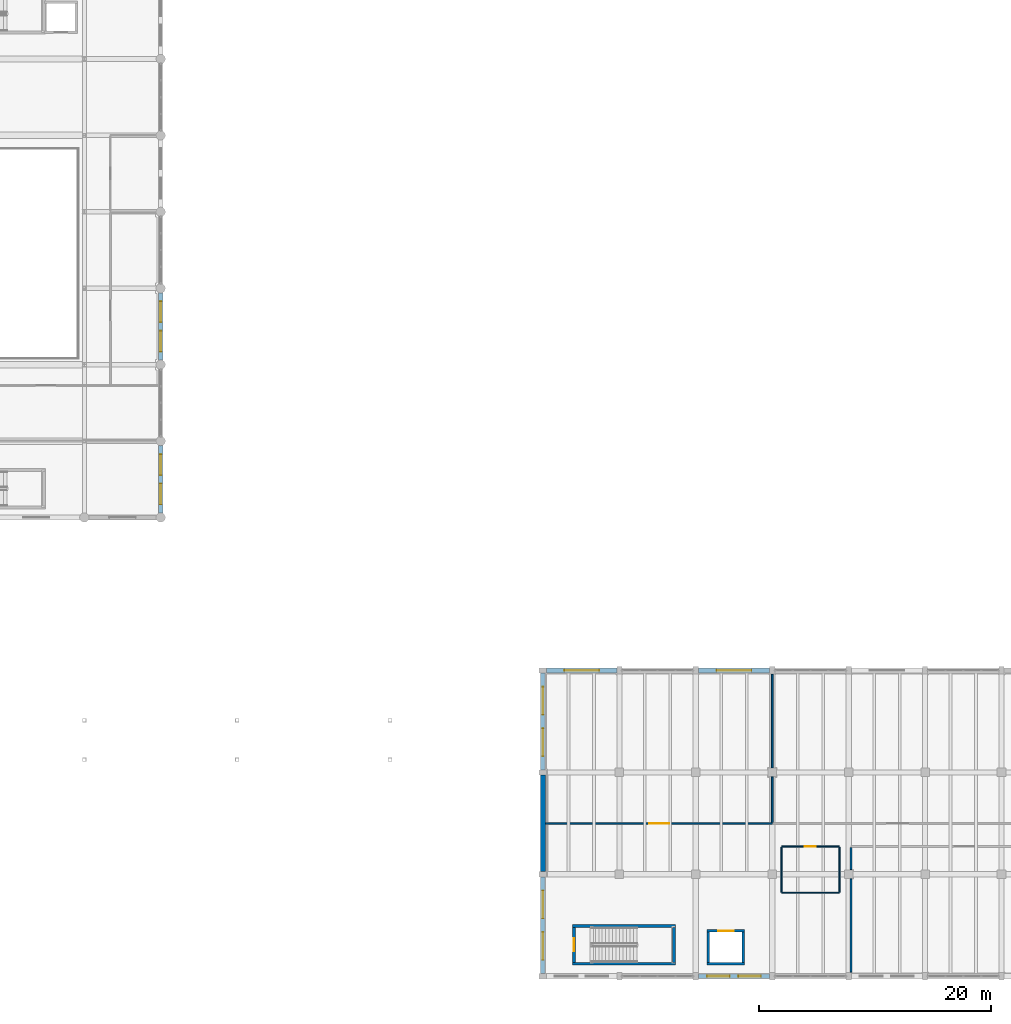
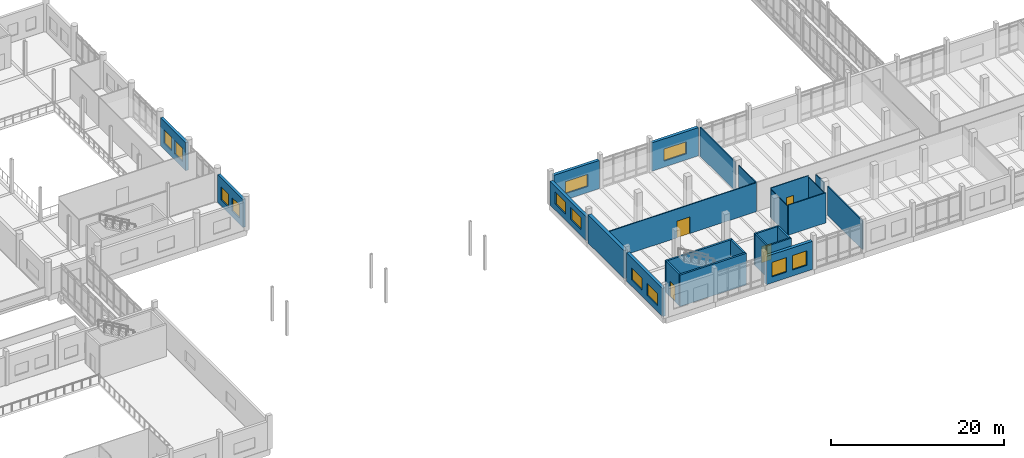
# One storey, part 89 of 125: 25 walls, 12 windows, 4 doors, 16 openings.
"""IFC4 building model written with IfcOpenShell, lengths in metres."""

from ifc_helpers import new_model, si_unit, direction, frame, frame_2d, origin, place, context, subcontext, project, spatial, rectangle, extrude, material, layer, layer_set, type_object, element, fill, save


model = new_model("IFC4")

# Units and contexts
model_context = context("Model", 3, precision=1e-05, world=origin(), true_north=direction((0.0, 1.0)))
body_context = subcontext(model_context, "Body", "Model", "MODEL_VIEW")
ifc_project = project(units=[si_unit("LENGTHUNIT", "METRE"), si_unit("AREAUNIT", "SQUARE_METRE"), si_unit("VOLUMEUNIT", "CUBIC_METRE"), si_unit("PLANEANGLEUNIT", "RADIAN"), si_unit("MASSUNIT", "GRAM", prefix="KILO")], contexts=[model_context])

# Site, building, storey
site_placement = place(None, origin())
site = spatial("IfcSite", under=ifc_project, at=site_placement, CompositionType="ELEMENT")
building_placement = place(site_placement, origin())
building = spatial("IfcBuilding", under=site, at=building_placement, Name="Dornvale Research Institute", CompositionType="ELEMENT")
storey_placement = place(building_placement, frame((0.0, 0.0, 5.39990234375)))
storey = spatial("IfcBuildingStorey", under=building, at=storey_placement, Name="L01", CompositionType="ELEMENT", Elevation=5.39990234375)

# Wall, opening, door
ifc_material_1 = material(Name="Epoxy-Coated Aluminum Honeycomb Cleanroom Partition", Category="aluminium")
ifc_layer_1 = layer(ifc_material_1, 0.139892578125)
ifc_layer_set_1 = layer_set([ifc_layer_1], Name="Epoxy-Coated Aluminum Honeycomb Cleanroom Partition")
wall_type_1 = type_object("IfcWallType", Name="Partition_Cleanroom_140", PredefinedType="PARTITIONING", material=ifc_layer_set_1)
wall_1_placement = place(storey_placement, frame((99.239990234375, 13.199951171875, 0.0), z_axis=(0.0, 0.0, 1.0), x_axis=(1.0, 0.0, 0.0)))
wall_1 = element("IfcWall", 1, at=wall_1_placement, inside=storey, type_object=wall_type_1, Name="L01 V3 interior partition #208", PredefinedType="PARTITIONING", context=body_context, shape_type="SweptSolid", body=[
    extrude(rectangle(XDim=19.56005859375, YDim=0.139892578125, at=frame_2d((9.780029296875, 0.0))), origin(), (0.0, 0.0, 1.0), 4.065185546875),
])
opening_1_placement = place(wall_1_placement, frame((8.93994140625, 0.0, 0.0)))
opening_1 = element("IfcOpeningElement", 2, at=opening_1_placement, cuts=wall_1, Name="Opening ID-03", PredefinedType="OPENING", context=body_context, shape_type="SweptSolid", body=[
    extrude(rectangle(XDim=1.719970703125, YDim=2.35009765625, at=frame_2d((0.85986328125, 1.175048828125))), frame((0.0, 0.0849609375, 0.0), z_axis=(0.0, -1.0, 0.0), x_axis=(1.0, 0.0, 0.0)), (0.0, 0.0, 1.0), 0.169921875),
])
ifc_material_2 = material(Name="Insulated Fire-Rated Hollow Metal Door Assembly")
door_type_1 = type_object("IfcDoorType", Name="Door_CleanBay_1720x2350", OperationType="SINGLE_SWING_LEFT", PredefinedType="DOOR", material=ifc_material_2)
door_1_placement = place(opening_1_placement, origin())
door_1 = element("IfcDoor", 3, at=door_1_placement, inside=storey, type_object=door_type_1, Name="L01 Cleanroom Gowning Airlock L01 door #84", OperationType="DOUBLE_DOOR_SINGLE_SWING", OverallHeight=2.35009765625, OverallWidth=1.719970703125, PredefinedType="DOOR", context=body_context, shape_type="SweptSolid", body=[
    extrude(rectangle(XDim=1.719970703125, YDim=2.35009765625, at=frame_2d((0.85986328125, 1.175048828125))), frame((0.0, 0.02490234375, 0.0), z_axis=(0.0, -1.0, 0.0), x_axis=(1.0, 0.0, 0.0)), (0.0, 0.0, 1.0), 0.050048828125),
])
fill(opening_1, door_1)

# Walls
wall_2_placement = place(storey_placement, frame((118.800048828125, 13.284912109375, 0.0), z_axis=(0.0, 0.0, 1.0), x_axis=(0.0, 1.0, 0.0)))
element("IfcWall", 4, at=wall_2_placement, inside=storey, type_object=wall_type_1, Name="L01 V3 interior partition #209", PredefinedType="PARTITIONING", context=body_context, shape_type="SweptSolid", body=[
    extrude(rectangle(XDim=3.920166015625, YDim=0.139892578125, at=frame_2d((1.9599609375, 0.0))), origin(), (0.0, 0.0, 1.0), 4.065185546875),
])
wall_3_placement = place(storey_placement, frame((118.800048828125, 17.9951171875, 0.0), z_axis=(0.0, 0.0, 1.0), x_axis=(0.0, 1.0, 0.0)))
element("IfcWall", 5, at=wall_3_placement, inside=storey, type_object=wall_type_1, Name="L01 V3 interior partition #210", PredefinedType="PARTITIONING", context=body_context, shape_type="SweptSolid", body=[
    extrude(rectangle(XDim=8.059814453125, YDim=0.139892578125, at=frame_2d((4.02978515625, 0.0))), origin(), (0.0, 0.0, 1.0), 4.065185546875),
])
wall_4_placement = place(storey_placement, frame((125.60009765625, 0.344970703125, 0.0), z_axis=(0.0, 0.0, 1.0), x_axis=(0.0, 1.0, 0.0)))
element("IfcWall", 6, at=wall_4_placement, inside=storey, type_object=wall_type_1, Name="L01 V3 interior partition #218", PredefinedType="PARTITIONING", context=body_context, shape_type="SweptSolid", body=[
    extrude(rectangle(XDim=8.06005859375, YDim=0.139892578125, at=frame_2d((4.030029296875, 0.0))), origin(), (0.0, 0.0, 1.0), 4.065185546875),
])
wall_5_placement = place(storey_placement, frame((125.60009765625, 9.195068359375, 0.0), z_axis=(0.0, 0.0, 1.0), x_axis=(0.0, 1.0, 0.0)))
element("IfcWall", 7, at=wall_5_placement, inside=storey, type_object=wall_type_1, Name="L01 V3 interior partition #219", PredefinedType="PARTITIONING", context=body_context, shape_type="SweptSolid", body=[
    extrude(rectangle(XDim=1.919921875, YDim=0.139892578125, at=frame_2d((0.9599609375, 0.0))), origin(), (0.0, 0.0, 1.0), 4.065185546875),
])
ifc_material_3 = material(Name="Acoustic Insulated Double-Stud Laboratory Partition")
ifc_layer_2 = layer(ifc_material_3, 0.10009765625)
ifc_layer_set_2 = layer_set([ifc_layer_2], Name="Acoustic Insulated Double-Stud Laboratory Partition")
wall_type_2 = type_object("IfcWallType", Name="Partition_Office_100", PredefinedType="PARTITIONING", material=ifc_layer_set_2)
wall_6_placement = place(storey_placement, frame((119.60009765625, 7.199951171875, 0.0), z_axis=(0.0, 0.0, 1.0), x_axis=(1.0, 0.0, 0.0)))
element("IfcWall", 8, at=wall_6_placement, inside=storey, type_object=wall_type_2, Name="L01 V3 interior partition #204", PredefinedType="PARTITIONING", context=body_context, shape_type="SweptSolid", body=[
    extrude(rectangle(XDim=5.0, YDim=0.10009765625, at=frame_2d((2.5, 0.0))), origin(), (0.0, 0.0, 1.0), 4.2451171875),
])

# Wall, opening, door
wall_7_placement = place(storey_placement, frame((119.60009765625, 11.199951171875, 0.0), z_axis=(0.0, 0.0, 1.0), x_axis=(1.0, 0.0, 0.0)))
wall_7 = element("IfcWall", 9, at=wall_7_placement, inside=storey, type_object=wall_type_2, Name="L01 V3 interior partition #205", PredefinedType="PARTITIONING", context=body_context, shape_type="SweptSolid", body=[
    extrude(rectangle(XDim=5.0, YDim=0.10009765625, at=frame_2d((2.5, 0.0))), origin(), (0.0, 0.0, 1.0), 4.2451171875),
])
opening_2_placement = place(wall_7_placement, frame((2.02490234375, 0.0, 0.0)))
opening_2 = element("IfcOpeningElement", 10, at=opening_2_placement, cuts=wall_7, Name="Opening ID-23", PredefinedType="OPENING", context=body_context, shape_type="SweptSolid", body=[
    extrude(rectangle(XDim=0.949951171875, YDim=2.14990234375, at=frame_2d((0.47509765625, 1.074951171875))), frame((0.0, 0.06494140625, 0.0), z_axis=(0.0, -1.0, 0.0), x_axis=(1.0, 0.0, 0.0)), (0.0, 0.0, 1.0), 0.130126953125),
])
ifc_material_4 = material(Name="Phenolic-Faced Solid-Core Laboratory Door Assembly")
door_type_2 = type_object("IfcDoorType", Name="Door_WC_950x2150", OperationType="SINGLE_SWING_LEFT", PredefinedType="DOOR", material=ifc_material_4)
door_2_placement = place(opening_2_placement, origin())
door_2 = element("IfcDoor", 11, at=door_2_placement, inside=storey, type_object=door_type_2, Name="L01 Cleanroom Staff and Accessible Restrooms L01 door #83", OperationType="SINGLE_SWING_RIGHT", OverallHeight=2.14990234375, OverallWidth=0.949951171875, PredefinedType="DOOR", context=body_context, shape_type="SweptSolid", body=[
    extrude(rectangle(XDim=0.949951171875, YDim=2.14990234375, at=frame_2d((0.47509765625, 1.074951171875))), frame((0.0, 0.02490234375, 0.0), z_axis=(0.0, -1.0, 0.0), x_axis=(1.0, 0.0, 0.0)), (0.0, 0.0, 1.0), 0.050048828125),
])
fill(opening_2, door_2)

# Walls
for number, where, z_axis, x_axis, name in (
    (12, (119.60009765625, 7.264892578125, 0.0), (0.0, 0.0, 1.0), (0.0, 1.0, 0.0), "L01 V3 interior partition #206"),
    (13, (124.60009765625, 7.264892578125, 0.0), (0.0, 0.0, 1.0), (0.0, 1.0, 0.0), "L01 V3 interior partition #207"),
):
    element("IfcWall", number, at=place(storey_placement, frame(where, z_axis=z_axis, x_axis=x_axis)), inside=storey, type_object=wall_type_2, Name=name, PredefinedType="PARTITIONING", context=body_context, shape_type="SweptSolid", body=[
        extrude(rectangle(XDim=3.8701171875, YDim=0.10009765625, at=frame_2d((1.93505859375, 0.0))), origin(), (0.0, 0.0, 1.0), 4.065185546875),
    ])
ifc_material_5 = material(Name="Concrete f'c 45 MPa (C35/45)", Category="concrete")
ifc_layer_3 = layer(ifc_material_5, 0.25)
ifc_layer_set_3 = layer_set([ifc_layer_3], Name="Concrete f'c 45 MPa (C35/45)")
wall_type_3 = type_object("IfcWallType", Name="ShearWall_Core_250", PredefinedType="SHEAR", material=ifc_layer_set_3)
for number, where, z_axis, x_axis, name in (
    (14, (101.550048828125, 1.074951171875, 0.0), (0.0, 0.0, 1.0), (1.0, 0.0, 0.0), "L01 ST-5 shaft shear wall south"),
    (15, (101.550048828125, 4.324951171875, 0.0), (0.0, 0.0, 1.0), (1.0, 0.0, 0.0), "L01 ST-5 shaft shear wall north"),
):
    element("IfcWall", number, at=place(storey_placement, frame(where, z_axis=z_axis, x_axis=x_axis)), inside=storey, type_object=wall_type_3, Name=name, PredefinedType="SHEAR", context=body_context, shape_type="SweptSolid", body=[
        extrude(rectangle(XDim=8.89990234375, YDim=0.25, at=frame_2d((4.449951171875, 0.0))), origin(), (0.0, 0.0, 1.0), 4.440185546875),
    ])

# Wall, opening, door
wall_8_placement = place(storey_placement, frame((101.675048828125, 1.199951171875, 0.0), z_axis=(0.0, 0.0, 1.0), x_axis=(0.0, 1.0, 0.0)))
wall_8 = element("IfcWall", 16, at=wall_8_placement, inside=storey, type_object=wall_type_3, Name="L01 ST-5 shaft shear wall west", PredefinedType="SHEAR", context=body_context, shape_type="SweptSolid", body=[
    extrude(rectangle(XDim=3.0, YDim=0.25, at=frame_2d((1.5, 0.0))), origin(), (0.0, 0.0, 1.0), 4.440185546875),
])
opening_3_placement = place(wall_8_placement, frame((0.93994140625, 0.0, 0.0)))
opening_3 = element("IfcOpeningElement", 17, at=opening_3_placement, cuts=wall_8, Name="Opening SD-01", PredefinedType="OPENING", context=body_context, shape_type="SweptSolid", body=[
    extrude(rectangle(XDim=1.1201171875, YDim=2.199951171875, at=frame_2d((0.56005859375, 1.10009765625))), frame((0.0, 0.139892578125, 0.0), z_axis=(0.0, -1.0, 0.0), x_axis=(1.0, 0.0, 0.0)), (0.0, 0.0, 1.0), 0.280029296875),
])
ifc_material_6 = material(Name="Insulated Fire-Rated Hollow Metal Door Assembly")
door_type_3 = type_object("IfcDoorType", Name="Door_Stair_1120x2200", OperationType="SINGLE_SWING_LEFT", PredefinedType="DOOR", material=ifc_material_6)
door_3_placement = place(opening_3_placement, origin())
door_3 = element("IfcDoor", 18, at=door_3_placement, inside=storey, type_object=door_type_3, Name="L01 ST-5 exit stair door #43", OperationType="SINGLE_SWING_LEFT", OverallHeight=2.199951171875, OverallWidth=1.1201171875, PredefinedType="DOOR", context=body_context, shape_type="SweptSolid", body=[
    extrude(rectangle(XDim=1.1201171875, YDim=2.199951171875, at=frame_2d((0.56005859375, 1.10009765625))), frame((0.0, 0.02490234375, 0.0), z_axis=(0.0, -1.0, 0.0), x_axis=(1.0, 0.0, 0.0)), (0.0, 0.0, 1.0), 0.050048828125),
])
fill(opening_3, door_3)

# Walls
wall_9_placement = place(storey_placement, frame((110.324951171875, 1.199951171875, 0.0), z_axis=(0.0, 0.0, 1.0), x_axis=(0.0, 1.0, 0.0)))
element("IfcWall", 19, at=wall_9_placement, inside=storey, type_object=wall_type_3, Name="L01 ST-5 shaft shear wall east", PredefinedType="SHEAR", context=body_context, shape_type="SweptSolid", body=[
    extrude(rectangle(XDim=3.0, YDim=0.25, at=frame_2d((1.5, 0.0))), origin(), (0.0, 0.0, 1.0), 4.440185546875),
])
ifc_material_7 = material(Name="Concrete f'c 45 MPa (C35/45)", Category="concrete")
ifc_layer_4 = layer(ifc_material_7, 0.219970703125)
ifc_layer_set_4 = layer_set([ifc_layer_4], Name="Concrete f'c 45 MPa (C35/45)")
wall_type_4 = type_object("IfcWallType", Name="ShearWall_Shaft_220", PredefinedType="SHEAR", material=ifc_layer_set_4)
wall_10_placement = place(storey_placement, frame((113.179931640625, 1.090087890625, 0.0), z_axis=(0.0, 0.0, 1.0), x_axis=(1.0, 0.0, 0.0)))
element("IfcWall", 20, at=wall_10_placement, inside=storey, type_object=wall_type_4, Name="L01 LC1 elevator shaft wall south", PredefinedType="SHEAR", context=body_context, shape_type="SweptSolid", body=[
    extrude(rectangle(XDim=3.239990234375, YDim=0.219970703125, at=frame_2d((1.6201171875, 0.0))), origin(), (0.0, 0.0, 1.0), 4.440185546875),
])

# Wall, opening, door
wall_11_placement = place(storey_placement, frame((113.179931640625, 3.909912109375, 0.0), z_axis=(0.0, 0.0, 1.0), x_axis=(1.0, 0.0, 0.0)))
wall_11 = element("IfcWall", 21, at=wall_11_placement, inside=storey, type_object=wall_type_4, Name="L01 LC1 elevator shaft wall north", PredefinedType="SHEAR", context=body_context, shape_type="SweptSolid", body=[
    extrude(rectangle(XDim=3.239990234375, YDim=0.219970703125, at=frame_2d((1.6201171875, 0.0))), origin(), (0.0, 0.0, 1.0), 4.440185546875),
])
opening_4_placement = place(wall_11_placement, frame((0.945068359375, 0.0, 0.0)))
opening_4 = element("IfcOpeningElement", 22, at=opening_4_placement, cuts=wall_11, Name="Opening LD-04", PredefinedType="OPENING", context=body_context, shape_type="SweptSolid", body=[
    extrude(rectangle(XDim=1.35009765625, YDim=2.300048828125, at=frame_2d((0.675048828125, 1.14990234375))), frame((0.0, 0.125, 0.0), z_axis=(0.0, -1.0, 0.0), x_axis=(1.0, 0.0, 0.0)), (0.0, 0.0, 1.0), 0.25),
])
ifc_material_8 = material(Name="Brushed Stainless Steel Sliding Elevator Landing Door", Category="steel")
door_type_4 = type_object("IfcDoorType", Name="Door_LiftLanding_Clean_1350x2300", OperationType="SINGLE_SWING_LEFT", PredefinedType="DOOR", material=ifc_material_8)
door_4_placement = place(opening_4_placement, origin())
door_4 = element("IfcDoor", 23, at=door_4_placement, inside=storey, type_object=door_type_4, Name="L01 LC1 sliding elevator landing door #55", OperationType="SLIDING_TO_LEFT", OverallHeight=2.300048828125, OverallWidth=1.35009765625, PredefinedType="DOOR", context=body_context, shape_type="SweptSolid", body=[
    extrude(rectangle(XDim=1.35009765625, YDim=2.300048828125, at=frame_2d((0.675048828125, 1.14990234375))), frame((0.0, 0.02490234375, 0.0), z_axis=(0.0, -1.0, 0.0), x_axis=(1.0, 0.0, 0.0)), (0.0, 0.0, 1.0), 0.050048828125),
])
fill(opening_4, door_4)

# Walls
for number, where, z_axis, x_axis, name in (
    (24, (113.2900390625, 1.199951171875, 0.0), (0.0, 0.0, 1.0), (0.0, 1.0, 0.0), "L01 LC1 elevator shaft wall west"),
    (25, (116.31005859375, 1.199951171875, 0.0), (0.0, 0.0, 1.0), (0.0, 1.0, 0.0), "L01 LC1 elevator shaft wall east"),
):
    element("IfcWall", number, at=place(storey_placement, frame(where, z_axis=z_axis, x_axis=x_axis)), inside=storey, type_object=wall_type_4, Name=name, PredefinedType="SHEAR", context=body_context, shape_type="SweptSolid", body=[
        extrude(rectangle(XDim=2.60009765625, YDim=0.219970703125, at=frame_2d((1.300048828125, 0.0))), origin(), (0.0, 0.0, 1.0), 4.440185546875),
    ])
ifc_material_9 = material(Name="Precast Concrete f'c 40 MPa (C32/40) and Glazed Terracotta Backup Wall", Category="masonry")
ifc_layer_5 = layer(ifc_material_9, 0.449951171875)
ifc_layer_set_5 = layer_set([ifc_layer_5], Name="Precast Concrete f'c 40 MPa (C32/40) and Glazed Terracotta Backup Wall")
wall_type_5 = type_object("IfcWallType", Name="SolidWall_ShearBraceBay_450", PredefinedType="SOLIDWALL", material=ifc_layer_set_5)
wall_12_placement = place(storey_placement, frame((99.0, 9.02490234375, 0.0), z_axis=(0.0, 0.0, 1.0), x_axis=(0.0, 1.0, 0.0)))
element("IfcWall", 26, at=wall_12_placement, inside=storey, type_object=wall_type_5, Name="L01 V3 west exterior wall #131", PredefinedType="SOLIDWALL", context=body_context, shape_type="SweptSolid", body=[
    extrude(rectangle(XDim=8.35009765625, YDim=0.449951171875, at=frame_2d((4.175048828125, 0.0))), origin(), (0.0, 0.0, 1.0), 3.97998046875),
])

# Wall, openings, windows
ifc_material_10 = material(Name="Catalan Pressed Brick and Insulated Cavity Assembly", Category="masonry")
ifc_layer_6 = layer(ifc_material_10, 0.360107421875)
ifc_layer_set_6 = layer_set([ifc_layer_6], Name="Catalan Pressed Brick and Insulated Cavity Assembly")
wall_type_6 = type_object("IfcWallType", Name="StandardWall_BrickCavity_360", PredefinedType="STANDARD", material=ifc_layer_set_6)
wall_13_placement = place(storey_placement, frame((66.0, 59.0048828125, 0.0), z_axis=(0.0, 0.0, 1.0), x_axis=(0.0, -1.0, 0.0)))
wall_13 = element("IfcWall", 27, at=wall_13_placement, inside=storey, type_object=wall_type_6, Name="L01 V2 east exterior wall #75", PredefinedType="STANDARD", context=body_context, shape_type="SweptSolid", body=[
    extrude(rectangle(XDim=5.809814453125, YDim=0.360107421875, at=frame_2d((2.90478515625, 0.0))), origin(), (0.0, 0.0, 1.0), 3.9501953125),
])
opening_5_placement = place(wall_13_placement, frame((0.73681640625, 0.0, 0.85009765625)))
opening_5 = element("IfcOpeningElement", 28, at=opening_5_placement, cuts=wall_13, Name="Opening W-17", PredefinedType="OPENING", context=body_context, shape_type="SweptSolid", body=[
    extrude(rectangle(XDim=1.800048828125, YDim=1.860107421875, at=frame_2d((0.89990234375, 0.93017578125))), frame((0.0, 0.195068359375, 0.0), z_axis=(0.0, -1.0, 0.0), x_axis=(1.0, 0.0, 0.0)), (0.0, 0.0, 1.0), 0.39013671875),
])
opening_6_placement = place(wall_13_placement, frame((3.2734375, 0.0, 0.85009765625)))
opening_6 = element("IfcOpeningElement", 29, at=opening_6_placement, cuts=wall_13, Name="Opening W-17", PredefinedType="OPENING", context=body_context, shape_type="SweptSolid", body=[
    extrude(rectangle(XDim=1.800048828125, YDim=1.860107421875, at=frame_2d((0.89990234375, 0.93017578125))), frame((0.0, 0.195068359375, 0.0), z_axis=(0.0, -1.0, 0.0), x_axis=(1.0, 0.0, 0.0)), (0.0, 0.0, 1.0), 0.39013671875),
])
ifc_material_11 = material(Name="Low-E Argon Double Insulating Glazing Unit", Category="glass")
window_type_1 = type_object("IfcWindowType", Name="Window_Alu_1800x1860_17", PartitioningType="DOUBLE_PANEL_VERTICAL", PredefinedType="WINDOW", material=ifc_material_11)
window_1_placement = place(opening_5_placement, origin())
window_1 = element("IfcWindow", 30, at=window_1_placement, inside=storey, type_object=window_type_1, Name="L01 V2 facade window W-17 #92", OverallHeight=1.860107421875, OverallWidth=1.800048828125, PartitioningType="DOUBLE_PANEL_VERTICAL", PredefinedType="WINDOW", context=body_context, shape_type="SweptSolid", body=[
    extrude(rectangle(XDim=1.800048828125, YDim=1.860107421875, at=frame_2d((0.89990234375, 0.93017578125))), frame((0.0, 0.030029296875, 0.0), z_axis=(0.0, -1.0, 0.0), x_axis=(1.0, 0.0, 0.0)), (0.0, 0.0, 1.0), 0.06005859375),
])
fill(opening_5, window_1)
window_2_placement = place(opening_6_placement, origin())
window_2 = element("IfcWindow", 31, at=window_2_placement, inside=storey, type_object=window_type_1, Name="L01 V2 facade window W-17 #93", OverallHeight=1.860107421875, OverallWidth=1.800048828125, PartitioningType="DOUBLE_PANEL_VERTICAL", PredefinedType="WINDOW", context=body_context, shape_type="SweptSolid", body=[
    extrude(rectangle(XDim=1.800048828125, YDim=1.860107421875, at=frame_2d((0.89990234375, 0.93017578125))), frame((0.0, 0.030029296875, 0.0), z_axis=(0.0, -1.0, 0.0), x_axis=(1.0, 0.0, 0.0)), (0.0, 0.0, 1.0), 0.06005859375),
])
fill(opening_6, window_2)

wall_14_placement = place(storey_placement, frame((66.0, 45.804931640625, 0.0), z_axis=(0.0, 0.0, 1.0), x_axis=(0.0, -1.0, 0.0)))
wall_14 = element("IfcWall", 32, at=wall_14_placement, inside=storey, type_object=wall_type_6, Name="L01 V2 east exterior wall #76", PredefinedType="STANDARD", context=body_context, shape_type="SweptSolid", body=[
    extrude(rectangle(XDim=5.809814453125, YDim=0.360107421875, at=frame_2d((2.90478515625, 0.0))), origin(), (0.0, 0.0, 1.0), 3.9501953125),
])
opening_7_placement = place(wall_14_placement, frame((0.73681640625, 0.0, 0.85009765625)))
opening_7 = element("IfcOpeningElement", 33, at=opening_7_placement, cuts=wall_14, Name="Opening W-17", PredefinedType="OPENING", context=body_context, shape_type="SweptSolid", body=[
    extrude(rectangle(XDim=1.800048828125, YDim=1.860107421875, at=frame_2d((0.89990234375, 0.93017578125))), frame((0.0, 0.195068359375, 0.0), z_axis=(0.0, -1.0, 0.0), x_axis=(1.0, 0.0, 0.0)), (0.0, 0.0, 1.0), 0.39013671875),
])
opening_8_placement = place(wall_14_placement, frame((3.2734375, 0.0, 0.85009765625)))
opening_8 = element("IfcOpeningElement", 34, at=opening_8_placement, cuts=wall_14, Name="Opening W-17", PredefinedType="OPENING", context=body_context, shape_type="SweptSolid", body=[
    extrude(rectangle(XDim=1.800048828125, YDim=1.860107421875, at=frame_2d((0.89990234375, 0.93017578125))), frame((0.0, 0.195068359375, 0.0), z_axis=(0.0, -1.0, 0.0), x_axis=(1.0, 0.0, 0.0)), (0.0, 0.0, 1.0), 0.39013671875),
])
window_3_placement = place(opening_7_placement, origin())
window_3 = element("IfcWindow", 35, at=window_3_placement, inside=storey, type_object=window_type_1, Name="L01 V2 facade window W-17 #94", OverallHeight=1.860107421875, OverallWidth=1.800048828125, PartitioningType="DOUBLE_PANEL_VERTICAL", PredefinedType="WINDOW", context=body_context, shape_type="SweptSolid", body=[
    extrude(rectangle(XDim=1.800048828125, YDim=1.860107421875, at=frame_2d((0.89990234375, 0.93017578125))), frame((0.0, 0.030029296875, 0.0), z_axis=(0.0, -1.0, 0.0), x_axis=(1.0, 0.0, 0.0)), (0.0, 0.0, 1.0), 0.06005859375),
])
fill(opening_7, window_3)
window_4_placement = place(opening_8_placement, origin())
window_4 = element("IfcWindow", 36, at=window_4_placement, inside=storey, type_object=window_type_1, Name="L01 V2 facade window W-17 #95", OverallHeight=1.860107421875, OverallWidth=1.800048828125, PartitioningType="DOUBLE_PANEL_VERTICAL", PredefinedType="WINDOW", context=body_context, shape_type="SweptSolid", body=[
    extrude(rectangle(XDim=1.800048828125, YDim=1.860107421875, at=frame_2d((0.89990234375, 0.93017578125))), frame((0.0, 0.030029296875, 0.0), z_axis=(0.0, -1.0, 0.0), x_axis=(1.0, 0.0, 0.0)), (0.0, 0.0, 1.0), 0.06005859375),
])
fill(opening_8, window_4)

ifc_material_12 = material(Name="Precast Concrete f'c 40 MPa (C32/40) and Glazed Terracotta Backup Wall", Category="masonry")
ifc_layer_7 = layer(ifc_material_12, 0.39990234375)
ifc_layer_set_7 = layer_set([ifc_layer_7], Name="Precast Concrete f'c 40 MPa (C32/40) and Glazed Terracotta Backup Wall")
wall_type_7 = type_object("IfcWallType", Name="StandardWall_CleanroomExt_400", PredefinedType="STANDARD", material=ifc_layer_set_7)
wall_15_placement = place(storey_placement, frame((99.0, 0.22509765625, 0.0), z_axis=(0.0, 0.0, 1.0), x_axis=(0.0, 1.0, 0.0)))
wall_15 = element("IfcWall", 37, at=wall_15_placement, inside=storey, type_object=wall_type_7, Name="L01 V3 west exterior wall #130", PredefinedType="STANDARD", context=body_context, shape_type="SweptSolid", body=[
    extrude(rectangle(XDim=8.349853515625, YDim=0.39990234375, at=frame_2d((4.1748046875, 0.0))), origin(), (0.0, 0.0, 1.0), 3.97998046875),
])
opening_9_placement = place(wall_15_placement, frame((1.183349609375, 0.0, 0.85009765625)))
opening_9 = element("IfcOpeningElement", 38, at=opening_9_placement, cuts=wall_15, Name="Opening W-21", PredefinedType="OPENING", context=body_context, shape_type="SweptSolid", body=[
    extrude(rectangle(XDim=2.39990234375, YDim=1.699951171875, at=frame_2d((1.199951171875, 0.85009765625))), frame((0.0, 0.21484375, 0.0), z_axis=(0.0, -1.0, 0.0), x_axis=(1.0, 0.0, 0.0)), (0.0, 0.0, 1.0), 0.429931640625),
])
opening_10_placement = place(wall_15_placement, frame((4.7666015625, 0.0, 0.85009765625)))
opening_10 = element("IfcOpeningElement", 39, at=opening_10_placement, cuts=wall_15, Name="Opening W-21", PredefinedType="OPENING", context=body_context, shape_type="SweptSolid", body=[
    extrude(rectangle(XDim=2.39990234375, YDim=1.699951171875, at=frame_2d((1.199951171875, 0.85009765625))), frame((0.0, 0.21484375, 0.0), z_axis=(0.0, -1.0, 0.0), x_axis=(1.0, 0.0, 0.0)), (0.0, 0.0, 1.0), 0.429931640625),
])
ifc_material_13 = material(Name="Low-E Argon Double Insulating Glazing Unit", Category="glass")
window_type_2 = type_object("IfcWindowType", Name="Window_Alu_2400x1700_21", PartitioningType="DOUBLE_PANEL_VERTICAL", PredefinedType="WINDOW", material=ifc_material_13)
window_5_placement = place(opening_9_placement, origin())
window_5 = element("IfcWindow", 40, at=window_5_placement, inside=storey, type_object=window_type_2, Name="L01 V3 facade window W-21 #163", OverallHeight=1.699951171875, OverallWidth=2.39990234375, PartitioningType="DOUBLE_PANEL_VERTICAL", PredefinedType="WINDOW", context=body_context, shape_type="SweptSolid", body=[
    extrude(rectangle(XDim=2.39990234375, YDim=1.699951171875, at=frame_2d((1.199951171875, 0.85009765625))), frame((0.0, 0.030029296875, 0.0), z_axis=(0.0, -1.0, 0.0), x_axis=(1.0, 0.0, 0.0)), (0.0, 0.0, 1.0), 0.06005859375),
])
fill(opening_9, window_5)
window_6_placement = place(opening_10_placement, origin())
window_6 = element("IfcWindow", 41, at=window_6_placement, inside=storey, type_object=window_type_2, Name="L01 V3 facade window W-21 #164", OverallHeight=1.699951171875, OverallWidth=2.39990234375, PartitioningType="DOUBLE_PANEL_VERTICAL", PredefinedType="WINDOW", context=body_context, shape_type="SweptSolid", body=[
    extrude(rectangle(XDim=2.39990234375, YDim=1.699951171875, at=frame_2d((1.199951171875, 0.85009765625))), frame((0.0, 0.030029296875, 0.0), z_axis=(0.0, -1.0, 0.0), x_axis=(1.0, 0.0, 0.0)), (0.0, 0.0, 1.0), 0.06005859375),
])
fill(opening_10, window_6)

wall_16_placement = place(storey_placement, frame((99.0, 17.824951171875, 0.0), z_axis=(0.0, 0.0, 1.0), x_axis=(0.0, 1.0, 0.0)))
wall_16 = element("IfcWall", 42, at=wall_16_placement, inside=storey, type_object=wall_type_7, Name="L01 V3 west exterior wall #132", PredefinedType="STANDARD", context=body_context, shape_type="SweptSolid", body=[
    extrude(rectangle(XDim=8.35009765625, YDim=0.39990234375, at=frame_2d((4.175048828125, 0.0))), origin(), (0.0, 0.0, 1.0), 3.360107421875),
])
opening_11_placement = place(wall_16_placement, frame((1.183349609375, 0.0, 0.85009765625)))
opening_11 = element("IfcOpeningElement", 43, at=opening_11_placement, cuts=wall_16, Name="Opening W-21", PredefinedType="OPENING", context=body_context, shape_type="SweptSolid", body=[
    extrude(rectangle(XDim=2.39990234375, YDim=1.699951171875, at=frame_2d((1.199951171875, 0.85009765625))), frame((0.0, 0.21484375, 0.0), z_axis=(0.0, -1.0, 0.0), x_axis=(1.0, 0.0, 0.0)), (0.0, 0.0, 1.0), 0.429931640625),
])
opening_12_placement = place(wall_16_placement, frame((4.7666015625, 0.0, 0.85009765625)))
opening_12 = element("IfcOpeningElement", 44, at=opening_12_placement, cuts=wall_16, Name="Opening W-21", PredefinedType="OPENING", context=body_context, shape_type="SweptSolid", body=[
    extrude(rectangle(XDim=2.39990234375, YDim=1.699951171875, at=frame_2d((1.199951171875, 0.85009765625))), frame((0.0, 0.21484375, 0.0), z_axis=(0.0, -1.0, 0.0), x_axis=(1.0, 0.0, 0.0)), (0.0, 0.0, 1.0), 0.429931640625),
])
window_7_placement = place(opening_11_placement, origin())
window_7 = element("IfcWindow", 45, at=window_7_placement, inside=storey, type_object=window_type_2, Name="L01 V3 facade window W-21 #165", OverallHeight=1.699951171875, OverallWidth=2.39990234375, PartitioningType="DOUBLE_PANEL_VERTICAL", PredefinedType="WINDOW", context=body_context, shape_type="SweptSolid", body=[
    extrude(rectangle(XDim=2.39990234375, YDim=1.699951171875, at=frame_2d((1.199951171875, 0.85009765625))), frame((0.0, 0.030029296875, 0.0), z_axis=(0.0, -1.0, 0.0), x_axis=(1.0, 0.0, 0.0)), (0.0, 0.0, 1.0), 0.06005859375),
])
fill(opening_11, window_7)
window_8_placement = place(opening_12_placement, origin())
window_8 = element("IfcWindow", 46, at=window_8_placement, inside=storey, type_object=window_type_2, Name="L01 V3 facade window W-21 #166", OverallHeight=1.699951171875, OverallWidth=2.39990234375, PartitioningType="DOUBLE_PANEL_VERTICAL", PredefinedType="WINDOW", context=body_context, shape_type="SweptSolid", body=[
    extrude(rectangle(XDim=2.39990234375, YDim=1.699951171875, at=frame_2d((1.199951171875, 0.85009765625))), frame((0.0, 0.030029296875, 0.0), z_axis=(0.0, -1.0, 0.0), x_axis=(1.0, 0.0, 0.0)), (0.0, 0.0, 1.0), 0.06005859375),
])
fill(opening_12, window_8)

# Wall, opening, window
wall_17_placement = place(storey_placement, frame((99.324951171875, 26.39990234375, 0.0), z_axis=(0.0, 0.0, 1.0), x_axis=(1.0, 0.0, 0.0)))
wall_17 = element("IfcWall", 47, at=wall_17_placement, inside=storey, type_object=wall_type_7, Name="L01 V3 north exterior wall #133", PredefinedType="STANDARD", context=body_context, shape_type="SweptSolid", body=[
    extrude(rectangle(XDim=6.050048828125, YDim=0.39990234375, at=frame_2d((3.02490234375, 0.0))), origin(), (0.0, 0.0, 1.0), 3.97998046875),
])
opening_13_placement = place(wall_17_placement, frame((1.52490234375, 0.0, 0.85009765625)))
opening_13 = element("IfcOpeningElement", 48, at=opening_13_placement, cuts=wall_17, Name="Opening W-24", PredefinedType="OPENING", context=body_context, shape_type="SweptSolid", body=[
    extrude(rectangle(XDim=3.0, YDim=1.699951171875, at=frame_2d((1.5, 0.85009765625))), frame((0.0, 0.21484375, 0.0), z_axis=(0.0, -1.0, 0.0), x_axis=(1.0, 0.0, 0.0)), (0.0, 0.0, 1.0), 0.429931640625),
])
ifc_material_14 = material(Name="Low-E Argon Double Insulating Glazing Unit", Category="glass")
window_type_3 = type_object("IfcWindowType", Name="Window_Alu_3000x1700_24", PartitioningType="DOUBLE_PANEL_VERTICAL", PredefinedType="WINDOW", material=ifc_material_14)
window_9_placement = place(opening_13_placement, origin())
window_9 = element("IfcWindow", 49, at=window_9_placement, inside=storey, type_object=window_type_3, Name="L01 V3 facade window W-24 #167", OverallHeight=1.699951171875, OverallWidth=3.0, PartitioningType="DOUBLE_PANEL_VERTICAL", PredefinedType="WINDOW", context=body_context, shape_type="SweptSolid", body=[
    extrude(rectangle(XDim=3.0, YDim=1.699951171875, at=frame_2d((1.5, 0.85009765625))), frame((0.0, 0.030029296875, 0.0), z_axis=(0.0, -1.0, 0.0), x_axis=(1.0, 0.0, 0.0)), (0.0, 0.0, 1.0), 0.06005859375),
])
fill(opening_13, window_9)

wall_18_placement = place(storey_placement, frame((112.425048828125, 26.39990234375, 0.0), z_axis=(0.0, 0.0, 1.0), x_axis=(1.0, 0.0, 0.0)))
wall_18 = element("IfcWall", 50, at=wall_18_placement, inside=storey, type_object=wall_type_7, Name="L01 V3 north exterior wall #134", PredefinedType="STANDARD", context=body_context, shape_type="SweptSolid", body=[
    extrude(rectangle(XDim=6.14990234375, YDim=0.39990234375, at=frame_2d((3.074951171875, 0.0))), origin(), (0.0, 0.0, 1.0), 3.97998046875),
])
opening_14_placement = place(wall_18_placement, frame((1.574951171875, 0.0, 0.85009765625)))
opening_14 = element("IfcOpeningElement", 51, at=opening_14_placement, cuts=wall_18, Name="Opening W-24", PredefinedType="OPENING", context=body_context, shape_type="SweptSolid", body=[
    extrude(rectangle(XDim=3.0, YDim=1.699951171875, at=frame_2d((1.5, 0.85009765625))), frame((0.0, 0.21484375, 0.0), z_axis=(0.0, -1.0, 0.0), x_axis=(1.0, 0.0, 0.0)), (0.0, 0.0, 1.0), 0.429931640625),
])
window_10_placement = place(opening_14_placement, origin())
window_10 = element("IfcWindow", 52, at=window_10_placement, inside=storey, type_object=window_type_3, Name="L01 V3 facade window W-24 #168", OverallHeight=1.699951171875, OverallWidth=3.0, PartitioningType="DOUBLE_PANEL_VERTICAL", PredefinedType="WINDOW", context=body_context, shape_type="SweptSolid", body=[
    extrude(rectangle(XDim=3.0, YDim=1.699951171875, at=frame_2d((1.5, 0.85009765625))), frame((0.0, 0.030029296875, 0.0), z_axis=(0.0, -1.0, 0.0), x_axis=(1.0, 0.0, 0.0)), (0.0, 0.0, 1.0), 0.06005859375),
])
fill(opening_14, window_10)

# Wall, openings, windows
wall_19_placement = place(storey_placement, frame((118.574951171875, 0.0, 0.0), z_axis=(0.0, 0.0, 1.0), x_axis=(-1.0, 0.0, 0.0)))
wall_19 = element("IfcWall", 53, at=wall_19_placement, inside=storey, type_object=wall_type_7, Name="L01 V3 south exterior wall #146", PredefinedType="STANDARD", context=body_context, shape_type="SweptSolid", body=[
    extrude(rectangle(XDim=6.14990234375, YDim=0.39990234375, at=frame_2d((3.074951171875, 0.0))), origin(), (0.0, 0.0, 1.0), 3.97998046875),
])
opening_15_placement = place(wall_19_placement, frame((0.75, 0.0, 0.85009765625)))
opening_15 = element("IfcOpeningElement", 54, at=opening_15_placement, cuts=wall_19, Name="Opening W-30", PredefinedType="OPENING", context=body_context, shape_type="SweptSolid", body=[
    extrude(rectangle(XDim=1.949951171875, YDim=2.0400390625, at=frame_2d((0.97509765625, 1.02001953125))), frame((0.0, 0.21484375, 0.0), z_axis=(0.0, -1.0, 0.0), x_axis=(1.0, 0.0, 0.0)), (0.0, 0.0, 1.0), 0.429931640625),
])
opening_16_placement = place(wall_19_placement, frame((3.449951171875, 0.0, 0.85009765625)))
opening_16 = element("IfcOpeningElement", 55, at=opening_16_placement, cuts=wall_19, Name="Opening W-30", PredefinedType="OPENING", context=body_context, shape_type="SweptSolid", body=[
    extrude(rectangle(XDim=1.949951171875, YDim=2.0400390625, at=frame_2d((0.97509765625, 1.02001953125))), frame((0.0, 0.21484375, 0.0), z_axis=(0.0, -1.0, 0.0), x_axis=(1.0, 0.0, 0.0)), (0.0, 0.0, 1.0), 0.429931640625),
])
ifc_material_15 = material(Name="Low-E Argon Double Insulating Glazing Unit", Category="glass")
window_type_4 = type_object("IfcWindowType", Name="Window_Alu_1950x2040_30", PartitioningType="DOUBLE_PANEL_VERTICAL", PredefinedType="WINDOW", material=ifc_material_15)
window_11_placement = place(opening_15_placement, origin())
window_11 = element("IfcWindow", 56, at=window_11_placement, inside=storey, type_object=window_type_4, Name="L01 V3 facade window W-30 #186", OverallHeight=2.0400390625, OverallWidth=1.949951171875, PartitioningType="DOUBLE_PANEL_VERTICAL", PredefinedType="WINDOW", context=body_context, shape_type="SweptSolid", body=[
    extrude(rectangle(XDim=1.949951171875, YDim=2.0400390625, at=frame_2d((0.97509765625, 1.02001953125))), frame((0.0, 0.030029296875, 0.0), z_axis=(0.0, -1.0, 0.0), x_axis=(1.0, 0.0, 0.0)), (0.0, 0.0, 1.0), 0.06005859375),
])
fill(opening_15, window_11)
window_12_placement = place(opening_16_placement, origin())
window_12 = element("IfcWindow", 57, at=window_12_placement, inside=storey, type_object=window_type_4, Name="L01 V3 facade window W-30 #187", OverallHeight=2.0400390625, OverallWidth=1.949951171875, PartitioningType="DOUBLE_PANEL_VERTICAL", PredefinedType="WINDOW", context=body_context, shape_type="SweptSolid", body=[
    extrude(rectangle(XDim=1.949951171875, YDim=2.0400390625, at=frame_2d((0.97509765625, 1.02001953125))), frame((0.0, 0.030029296875, 0.0), z_axis=(0.0, -1.0, 0.0), x_axis=(1.0, 0.0, 0.0)), (0.0, 0.0, 1.0), 0.06005859375),
])
fill(opening_16, window_12)

save(model, "model.ifc")
